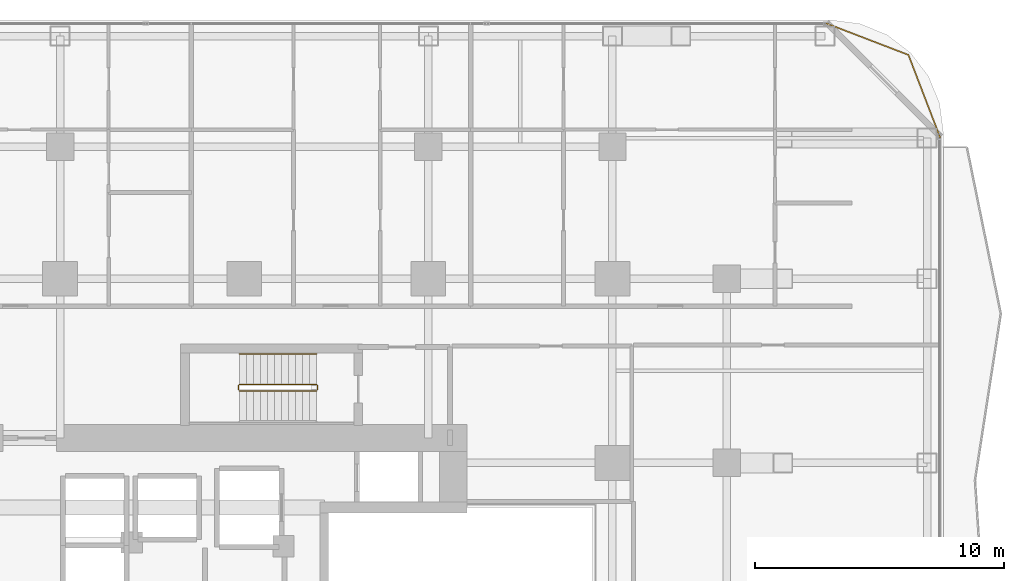
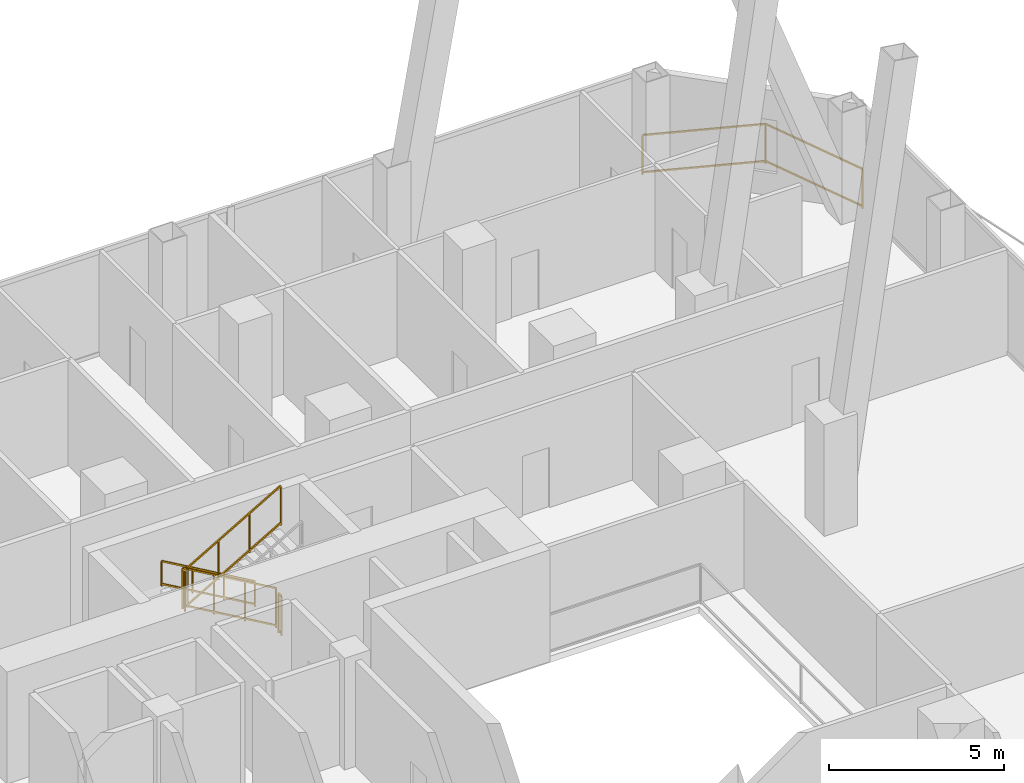
# One storey, part 33 of 33: 6 railings.
"""IFC4 building model written with IfcOpenShell, lengths in metres."""

from ifc_helpers import new_model, si_unit, direction, frame, origin, origin_2d, place, context, subcontext, project, spatial, rectangle, extrude, material, type_object, element, save


model = new_model("IFC4")

# Units and contexts
model_context = context("Model", 3, precision=1e-05, world=origin(), true_north=direction((0.0, 1.0)))
body_context = subcontext(model_context, "Body", "Model", "MODEL_VIEW")
ifc_project = project(units=[si_unit("LENGTHUNIT", "METRE"), si_unit("AREAUNIT", "SQUARE_METRE"), si_unit("VOLUMEUNIT", "CUBIC_METRE"), si_unit("PLANEANGLEUNIT", "RADIAN"), si_unit("MASSUNIT", "GRAM", prefix="KILO")], contexts=[model_context])

# Site, building, storey
site_placement = place(None, origin())
site = spatial("IfcSite", under=ifc_project, at=site_placement, CompositionType="ELEMENT")
building_placement = place(site_placement, origin())
building = spatial("IfcBuilding", under=site, at=building_placement, Name="Khorvyn Point Tower", CompositionType="ELEMENT")
storey_placement = place(building_placement, frame((0.0, 0.0, 38.39990234375)))
storey = spatial("IfcBuildingStorey", under=building, at=storey_placement, Name="L10", CompositionType="ELEMENT", Elevation=38.39990234375)

# Railings
ifc_material_1 = material(Name="Anodised aluminium 6063-T6 and laminated safety glass", Category="aluminium")
railing_type_1 = type_object("IfcRailingType", Name="Laminated Glass and Aluminium Balcony Guardrail 1400", PredefinedType="BALUSTRADE", material=ifc_material_1)
railing_1_placement = place(storey_placement, frame((27.97412109375, 20.470703125, 0.0)))
element("IfcRailing", 1, at=railing_1_placement, inside=storey, type_object=railing_type_1, Name="L10 Rounded Corner Edge Guardrail NE", PredefinedType="BALUSTRADE", context=body_context, shape_type="SweptSolid", body=[
    extrude(rectangle(XDim=0.048095703125, YDim=0.048095703125, at=origin_2d()), frame((0.0, 0.0, 1.3759765625), z_axis=(-0.35841886047, 0.933560882031, 0.0), x_axis=(-0.933560882031, -0.35841886047, 0.0)), (0.0, 0.0, 1.0), 3.563232421875),
    extrude(rectangle(XDim=0.048095703125, YDim=0.048095703125, at=origin_2d()), frame((0.0, 0.0, 0.080078125), z_axis=(-0.35841886047, 0.933560882031, 0.0), x_axis=(-0.933560882031, -0.35841886047, 0.0)), (0.0, 0.0, 1.0), 3.563232421875),
    extrude(rectangle(XDim=0.048095703125, YDim=0.048095703125, at=origin_2d()), frame((-1.277099609375, 3.326416015625, 1.3759765625), z_axis=(-0.933575007025, 0.358382067435, 0.0), x_axis=(-0.358382067435, -0.933575007025, 0.0)), (0.0, 0.0, 1.0), 3.562744140625),
    extrude(rectangle(XDim=0.048095703125, YDim=0.048095703125, at=origin_2d()), frame((-1.277099609375, 3.326416015625, 0.080078125), z_axis=(-0.933575007025, 0.358382067435, 0.0), x_axis=(-0.358382067435, -0.933575007025, 0.0)), (0.0, 0.0, 1.0), 3.562744140625),
    extrude(rectangle(XDim=0.0419921875, YDim=0.0419921875, at=origin_2d()), origin(), (0.0, 0.0, 1.0), 1.351806640625),
    extrude(rectangle(XDim=0.0419921875, YDim=0.0419921875, at=origin_2d()), frame((-1.277099609375, 3.326416015625, 0.0)), (0.0, 0.0, 1.0), 1.351806640625),
    extrude(rectangle(XDim=0.0419921875, YDim=0.0419921875, at=origin_2d()), frame((-4.603271484375, 4.603271484375, 0.0)), (0.0, 0.0, 1.0), 1.351806640625),
])
ifc_material_2 = material(Name="Stainless steel 1.4301", Category="steel")
railing_type_2 = type_object("IfcRailingType", Name="Stainless Steel 304 Stair Pitch Handrail 900", PredefinedType="HANDRAIL", material=ifc_material_2)
railing_2_placement = place(storey_placement, frame((2.89990234375, 11.77001953125, 0.16259765625)))
element("IfcRailing", 2, at=railing_2_placement, inside=storey, type_object=railing_type_2, Name="L10 ST-02 stair handrail 1", PredefinedType="HANDRAIL", context=body_context, shape_type="SweptSolid", body=[
    extrude(rectangle(XDim=0.048095703125, YDim=0.048095703125, at=origin_2d()), frame((0.0, 0.0, 0.8759765625), z_axis=(-0.864873446163, 0.0, 0.501989962173), x_axis=(0.0, -1.0, 0.0)), (0.0, 0.0, 1.0), 3.56103515625),
    extrude(rectangle(XDim=0.048095703125, YDim=0.048095703125, at=origin_2d()), frame((0.0, 0.0, 0.080078125), z_axis=(-0.864873446163, 0.0, 0.501989962173), x_axis=(0.0, -1.0, 0.0)), (0.0, 0.0, 1.0), 3.56103515625),
    extrude(rectangle(XDim=0.0419921875, YDim=0.0419921875, at=origin_2d()), origin(), (0.0, 0.0, 1.0), 0.851806640625),
    extrude(rectangle(XDim=0.0419921875, YDim=0.0419921875, at=origin_2d()), frame((-1.026611328125, 0.0, 0.595947265625)), (0.0, 0.0, 1.0), 0.851806640625),
    extrude(rectangle(XDim=0.0419921875, YDim=0.0419921875, at=origin_2d()), frame((-2.05322265625, 0.0, 1.191650390625)), (0.0, 0.0, 1.0), 0.851806640625),
    extrude(rectangle(XDim=0.0419921875, YDim=0.0419921875, at=origin_2d()), frame((-3.079833984375, 0.0, 1.78759765625)), (0.0, 0.0, 1.0), 0.851806640625),
])
railing_type_3 = type_object("IfcRailingType", Name="Stainless Steel 304 Stair Well Guardrail 1400", PredefinedType="GUARDRAIL", material=ifc_material_2)
railing_3_placement = place(storey_placement, frame((2.89990234375, 10.550048828125, 0.16259765625)))
element("IfcRailing", 3, at=railing_3_placement, inside=storey, type_object=railing_type_3, Name="L10 ST-02 stair guard 1", PredefinedType="GUARDRAIL", context=body_context, shape_type="SweptSolid", body=[
    extrude(rectangle(XDim=0.048095703125, YDim=0.048095703125, at=origin_2d()), frame((0.0, 0.0, 1.3759765625), z_axis=(-0.864873446163, 0.0, 0.501989962173), x_axis=(0.0, -1.0, 0.0)), (0.0, 0.0, 1.0), 3.56103515625),
    extrude(rectangle(XDim=0.048095703125, YDim=0.048095703125, at=origin_2d()), frame((0.0, 0.0, 0.080078125), z_axis=(-0.864873446163, 0.0, 0.501989962173), x_axis=(0.0, -1.0, 0.0)), (0.0, 0.0, 1.0), 3.56103515625),
    extrude(rectangle(XDim=0.0419921875, YDim=0.0419921875, at=origin_2d()), origin(), (0.0, 0.0, 1.0), 1.351806640625),
    extrude(rectangle(XDim=0.0419921875, YDim=0.0419921875, at=origin_2d()), frame((-1.026611328125, 0.0, 0.595947265625)), (0.0, 0.0, 1.0), 1.351806640625),
    extrude(rectangle(XDim=0.0419921875, YDim=0.0419921875, at=origin_2d()), frame((-2.05322265625, 0.0, 1.191650390625)), (0.0, 0.0, 1.0), 1.351806640625),
    extrude(rectangle(XDim=0.0419921875, YDim=0.0419921875, at=origin_2d()), frame((-3.079833984375, 0.0, 1.78759765625)), (0.0, 0.0, 1.0), 1.351806640625),
])
railing_4_placement = place(storey_placement, frame((-0.22998046875, 10.5, 1.9501953125)))
element("IfcRailing", 4, at=railing_4_placement, inside=storey, type_object=railing_type_3, Name="L10 ST-02 stair guard 2", PredefinedType="GUARDRAIL", context=body_context, shape_type="SweptSolid", body=[
    extrude(rectangle(XDim=0.048095703125, YDim=0.048095703125, at=origin_2d()), frame((0.0, 0.0, 1.3759765625), z_axis=(0.0, -1.0, 0.0), x_axis=(1.0, 0.0, 0.0)), (0.0, 0.0, 1.0), 0.159912109375),
    extrude(rectangle(XDim=0.048095703125, YDim=0.048095703125, at=origin_2d()), frame((0.0, 0.0, 0.080078125), z_axis=(0.0, -1.0, 0.0), x_axis=(1.0, 0.0, 0.0)), (0.0, 0.0, 1.0), 0.159912109375),
    extrude(rectangle(XDim=0.0419921875, YDim=0.0419921875, at=origin_2d()), origin(), (0.0, 0.0, 1.0), 1.351806640625),
    extrude(rectangle(XDim=0.0419921875, YDim=0.0419921875, at=origin_2d()), frame((0.0, -0.159912109375, 0.0)), (0.0, 0.0, 1.0), 1.351806640625),
])
railing_5_placement = place(storey_placement, frame((-0.179931640625, 10.2900390625, 2.112548828125)))
element("IfcRailing", 5, at=railing_5_placement, inside=storey, type_object=railing_type_3, Name="L10 ST-02 stair guard 3", PredefinedType="GUARDRAIL", context=body_context, shape_type="SweptSolid", body=[
    extrude(rectangle(XDim=0.048095703125, YDim=0.048095703125, at=origin_2d()), frame((0.0, 0.0, 1.3759765625), z_axis=(0.864873446163, 0.0, 0.501989962173), x_axis=(0.0, 1.0, 0.0)), (0.0, 0.0, 1.0), 3.56103515625),
    extrude(rectangle(XDim=0.048095703125, YDim=0.048095703125, at=origin_2d()), frame((0.0, 0.0, 0.080078125), z_axis=(0.864873446163, 0.0, 0.501989962173), x_axis=(0.0, 1.0, 0.0)), (0.0, 0.0, 1.0), 3.56103515625),
    extrude(rectangle(XDim=0.0419921875, YDim=0.0419921875, at=origin_2d()), origin(), (0.0, 0.0, 1.0), 1.351806640625),
    extrude(rectangle(XDim=0.0419921875, YDim=0.0419921875, at=origin_2d()), frame((1.026611328125, 0.0, 0.595947265625)), (0.0, 0.0, 1.0), 1.351806640625),
    extrude(rectangle(XDim=0.0419921875, YDim=0.0419921875, at=origin_2d()), frame((2.05322265625, 0.0, 1.191650390625)), (0.0, 0.0, 1.0), 1.351806640625),
    extrude(rectangle(XDim=0.0419921875, YDim=0.0419921875, at=origin_2d()), frame((3.079833984375, 0.0, 1.78759765625)), (0.0, 0.0, 1.0), 1.351806640625),
])
railing_6_placement = place(storey_placement, frame((2.949951171875, 10.5, 0.0)))
element("IfcRailing", 6, at=railing_6_placement, inside=storey, type_object=railing_type_3, Name="L10 ST-02 stair guard 4", PredefinedType="GUARDRAIL", context=body_context, shape_type="SweptSolid", body=[
    extrude(rectangle(XDim=0.048095703125, YDim=0.048095703125, at=origin_2d()), frame((0.0, 0.0, 1.3759765625), z_axis=(0.0, -1.0, 0.0), x_axis=(1.0, 0.0, 0.0)), (0.0, 0.0, 1.0), 0.159912109375),
    extrude(rectangle(XDim=0.048095703125, YDim=0.048095703125, at=origin_2d()), frame((0.0, 0.0, 0.080078125), z_axis=(0.0, -1.0, 0.0), x_axis=(1.0, 0.0, 0.0)), (0.0, 0.0, 1.0), 0.159912109375),
    extrude(rectangle(XDim=0.0419921875, YDim=0.0419921875, at=origin_2d()), origin(), (0.0, 0.0, 1.0), 1.351806640625),
    extrude(rectangle(XDim=0.0419921875, YDim=0.0419921875, at=origin_2d()), frame((0.0, -0.159912109375, 0.0)), (0.0, 0.0, 1.0), 1.351806640625),
])

save(model, "model.ifc")
